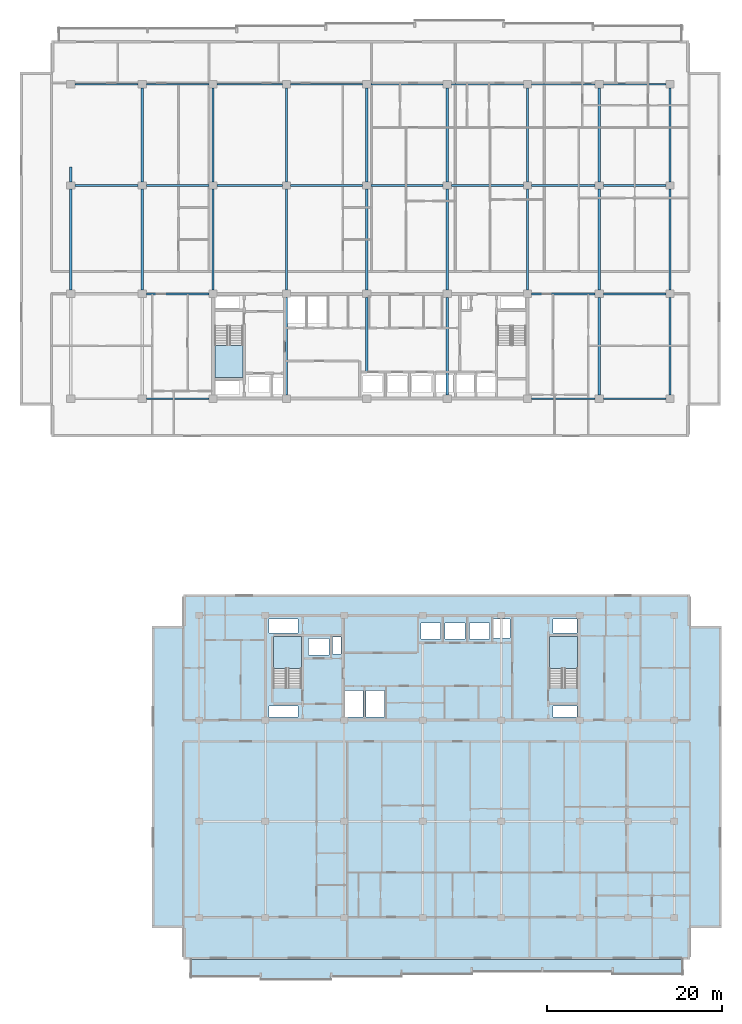
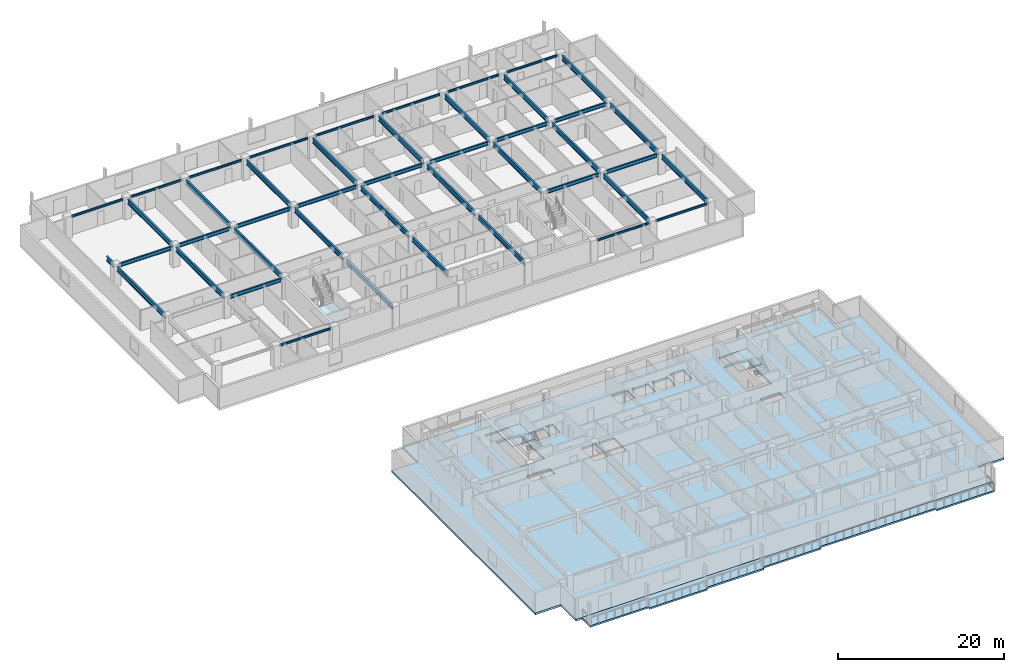
# One storey, part 2 of 21: 45 beams, 5 slabs, 3 elements without a shape of their own.
"""IFC4 building model written with IfcOpenShell, lengths in metres."""

import ifcopenshell
import ifcopenshell.guid

model = None  # the IFC model being written
_history = None  # IfcOwnerHistory: only IFC2X3 demands one
_inside = {}  # id of a spatial element -> (the spatial element, [elements in it])
_under = {}  # id of a project, library or spatial element -> (it, [spatial elements below it])
_declared = {}  # id of a project -> (the project, [libraries it declares])
_typed = {}  # id of a type object -> (the type object, [elements of that type])
_made_of = {}  # id of a material, layer set ... -> (it, [elements and type objects made of it])


def new_model(schema):
    """Start an empty IFC model of exactly this schema.

    Asked for "IFC4X3", IfcOpenShell would pick the latest addendum, in which some entities
    have other attributes; the version numbers below select the first issue.
    IFC2X3 requires an IfcOwnerHistory on every rooted entity: one is made here for all.
    """
    global model, _history
    if schema == "IFC4X3":
        model = ifcopenshell.file(schema_version=(4, 3, 0, 0))
    else:
        model = ifcopenshell.file(schema=schema)
    _inside.clear()
    _under.clear()
    _declared.clear()
    _typed.clear()
    _made_of.clear()
    _history = None
    if model.schema == "IFC2X3":
        org = make("IfcOrganization", Name="unknown")
        user = make(
            "IfcPersonAndOrganization",
            ThePerson=make("IfcPerson", FamilyName="unknown"),
            TheOrganization=org,
        )
        app = make(
            "IfcApplication",
            ApplicationDeveloper=org,
            Version="unknown",
            ApplicationFullName="unknown",
            ApplicationIdentifier="unknown",
        )
        _history = make(
            "IfcOwnerHistory",
            OwningUser=user,
            OwningApplication=app,
            ChangeAction="ADDED",
            CreationDate=0,
        )
    return model


def make(cls, **values):
    """One entity of the class cls with the attributes given. An attribute that is None is left unset."""
    return model.create_entity(
        cls, **{name: value for name, value in values.items() if value is not None}
    )


def rooted(cls, **values):
    """An entity with a GlobalId (a new one), such as an element, a storey or a relation."""
    return make(cls, GlobalId=ifcopenshell.guid.new(), OwnerHistory=_history, **values)


def si_unit(unit_type, name, prefix=None):
    """IfcSIUnit, for example si_unit("LENGTHUNIT", "METRE", prefix="MILLI")."""
    return make("IfcSIUnit", UnitType=unit_type, Prefix=prefix, Name=name)


def assignment(units):
    """IfcUnitAssignment: the units of a project."""
    return None if units is None else make("IfcUnitAssignment", Units=units)


def point(xyz):
    """IfcCartesianPoint."""
    return None if xyz is None else make("IfcCartesianPoint", Coordinates=xyz)


def direction(xyz):
    """IfcDirection."""
    return None if xyz is None else make("IfcDirection", DirectionRatios=xyz)


def frame(location, z_axis=None, x_axis=None):
    """IfcAxis2Placement3D, a coordinate frame: its origin and axes. An axis left out is left unset."""
    return make(
        "IfcAxis2Placement3D",
        Location=point(location),
        Axis=direction(z_axis),
        RefDirection=direction(x_axis),
    )


def frame_2d(location, x_axis=None):
    """IfcAxis2Placement2D, a coordinate frame in the plane: its origin and x axis."""
    return make(
        "IfcAxis2Placement2D", Location=point(location), RefDirection=direction(x_axis)
    )


def origin():
    """The frame at (0, 0, 0) with its axes left unset."""
    return frame((0.0, 0.0, 0.0))


def origin_2d():
    """The frame at (0, 0) in the plane with its x axis left unset."""
    return frame_2d((0.0, 0.0))


def place(relative_to, where):
    """IfcLocalPlacement: puts the frame where relative to a parent placement (None: the world)."""
    return make(
        "IfcLocalPlacement", PlacementRelTo=relative_to, RelativePlacement=where
    )


def context(
    kind, dimensions, precision=None, world=None, true_north=None, identifier=None
):
    """IfcGeometricRepresentationContext, for example the 3D "Model" context."""
    return make(
        "IfcGeometricRepresentationContext",
        ContextIdentifier=identifier,
        ContextType=kind,
        CoordinateSpaceDimension=dimensions,
        Precision=precision,
        WorldCoordinateSystem=world,
        TrueNorth=true_north,
    )


def subcontext(parent, identifier, kind, view, scale=None):
    """IfcGeometricRepresentationSubContext, for example "Body" below "Model"."""
    return make(
        "IfcGeometricRepresentationSubContext",
        ContextIdentifier=identifier,
        ContextType=kind,
        ParentContext=parent,
        TargetScale=scale,
        TargetView=view,
    )


def project(units=None, contexts=None):
    """IfcProject with its units and contexts."""
    return rooted(
        "IfcProject",
        Name="project",
        RepresentationContexts=contexts,
        UnitsInContext=assignment(units),
    )


def spatial(cls, under=None, at=None, **own):
    """A site, building, storey or space (cls), placed at a placement, below another one or the project."""
    s = rooted(cls, ObjectPlacement=at, **own)
    if under is not None:
        _under.setdefault(under.id(), (under, []))[1].append(s)
    return s


def polyline(points):
    """IfcPolyline through the points."""
    return make("IfcPolyline", Points=[point(p) for p in points])


def profile(cls, at=None, kind="AREA", **sizes):
    """A parametric profile (cls). Its sizes go by their IFC names, for example OverallWidth=200.0."""
    return make(cls, ProfileType=kind, Position=at, **sizes)


def i_section(**sizes):
    """IfcIShapeProfileDef."""
    return profile("IfcIShapeProfileDef", **sizes)


def outline(outer, holes=None, kind="AREA"):
    """IfcArbitraryClosedProfileDef: a profile drawn as a closed curve; with holes, ...WithVoids."""
    if holes is None:
        return make("IfcArbitraryClosedProfileDef", ProfileType=kind, OuterCurve=outer)
    return make(
        "IfcArbitraryProfileDefWithVoids",
        ProfileType=kind,
        OuterCurve=outer,
        InnerCurves=holes,
    )


def extrude(swept, where, along, depth):
    """IfcExtrudedAreaSolid: the profile swept, set in the frame where, extruded along a direction by depth."""
    return make(
        "IfcExtrudedAreaSolid",
        SweptArea=swept,
        Position=where,
        ExtrudedDirection=direction(along),
        Depth=depth,
    )


def shape(context_of_items, identifier, shape_type, items):
    """IfcShapeRepresentation: the items that make up one representation, for example the "Body"."""
    return make(
        "IfcShapeRepresentation",
        ContextOfItems=context_of_items,
        RepresentationIdentifier=identifier,
        RepresentationType=shape_type,
        Items=items,
    )


def material(Name=None, Category=None):
    """IfcMaterial."""
    return make("IfcMaterial", Name=Name, Category=Category)


def layer(
    of_material, thickness, ventilated=None, Name=None, Category=None, Priority=None
):
    """IfcMaterialLayer: one layer of a wall or slab, of a material (None: an air gap)."""
    return make(
        "IfcMaterialLayer",
        Material=of_material,
        LayerThickness=thickness,
        IsVentilated=ventilated,
        Name=Name,
        Category=Category,
        Priority=Priority,
    )


def layer_set(layers, Name=None):
    """IfcMaterialLayerSet."""
    return make("IfcMaterialLayerSet", MaterialLayers=layers, LayerSetName=Name)


def material_profile(
    of_material, cross_section, Name=None, Category=None, Priority=None
):
    """IfcMaterialProfile: a cross section and its material."""
    return make(
        "IfcMaterialProfile",
        Name=Name,
        Material=of_material,
        Profile=cross_section,
        Priority=Priority,
        Category=Category,
    )


def profile_set(profiles, Name=None, composite=None):
    """IfcMaterialProfileSet."""
    return make(
        "IfcMaterialProfileSet",
        Name=Name,
        MaterialProfiles=profiles,
        CompositeProfile=composite,
    )


def made_of(thing, what):
    """Note that an element or type object is made of a material, layer set ...; save() writes the relation."""
    if what is not None:
        _made_of.setdefault(what.id(), (what, []))[1].append(thing)
    return thing


def type_object(cls, material=None, **own):
    """A type object (cls), such as IfcWallType, which elements share."""
    return made_of(rooted(cls, **own), material)


def element(
    cls,
    number,
    at=None,
    inside=None,
    cuts=None,
    type_object=None,
    material=None,
    context=None,
    identifier="Body",
    shape_type=None,
    held_by="IfcProductDefinitionShape",
    body=None,
    shapes=None,
    **own,
):
    """One element of the class cls, such as IfcWall. Its Tag is "e" and its number.

    at: its placement. inside: the storey or other place that contains it. cuts: it is an
    opening in that element (IfcRelVoidsElement). A single representation is given by context,
    identifier, shape_type and body (its items); several are given by shapes. held_by: the class
    of the entity that holds the representations. save() writes the other relations.
    """
    e = rooted(cls, Tag="e%d" % number, ObjectPlacement=at, **own)
    if body is not None:
        shapes = [shape(context, identifier, shape_type, body)]
    if shapes is not None:
        e.Representation = make(held_by, Representations=shapes)
    if inside is not None:
        _inside.setdefault(inside.id(), (inside, []))[1].append(e)
    if cuts is not None:
        rooted(
            "IfcRelVoidsElement", RelatingBuildingElement=cuts, RelatedOpeningElement=e
        )
    if type_object is not None:
        _typed.setdefault(type_object.id(), (type_object, []))[1].append(e)
    return made_of(e, material)


def aggregate(whole, parts):
    """IfcRelAggregates: a whole, such as a stair, and the parts it consists of."""
    return rooted("IfcRelAggregates", RelatingObject=whole, RelatedObjects=parts)


def save(model, path):
    """Write the relations noted so far, then the file.

    IfcRelAggregates (storeys below a building ...), IfcRelContainedInSpatialStructure (elements
    in a storey), IfcRelDefinesByType, IfcRelAssociatesMaterial and IfcRelDeclares: one each for
    every whole, place, type object, material and project.
    """
    for whole, parts in _under.values():
        aggregate(whole, parts)
    for where, things in _inside.values():
        rooted(
            "IfcRelContainedInSpatialStructure",
            RelatedElements=things,
            RelatingStructure=where,
        )
    for kind, things in _typed.values():
        rooted("IfcRelDefinesByType", RelatedObjects=things, RelatingType=kind)
    for what, things in _made_of.values():
        rooted("IfcRelAssociatesMaterial", RelatedObjects=things, RelatingMaterial=what)
    for by, libraries in _declared.values():
        rooted("IfcRelDeclares", RelatingContext=by, RelatedDefinitions=libraries)
    model.write(path)


model = new_model("IFC4")

# Units and contexts
model_context = context("Model", 3, precision=1e-05, world=origin(), true_north=direction((0.0, 1.0)))
body_context = subcontext(model_context, "Body", "Model", "MODEL_VIEW")
ifc_project = project(units=[si_unit("LENGTHUNIT", "METRE"), si_unit("AREAUNIT", "SQUARE_METRE"), si_unit("VOLUMEUNIT", "CUBIC_METRE"), si_unit("PLANEANGLEUNIT", "RADIAN"), si_unit("MASSUNIT", "GRAM", prefix="KILO")], contexts=[model_context])

# Site, building, storey
site_placement = place(None, origin())
site = spatial("IfcSite", under=ifc_project, at=site_placement, CompositionType="ELEMENT")
building_placement = place(site_placement, origin())
building = spatial("IfcBuilding", under=site, at=building_placement, Name="Korimba Cascade Residences", CompositionType="ELEMENT")
storey_placement = place(building_placement, frame((0.0, 0.0, 100.300048828125)))
storey = spatial("IfcBuildingStorey", under=building, at=storey_placement, Name="L28", CompositionType="ELEMENT", Elevation=100.300048828125)

# Beams
ifc_material_1 = material(Name="Steel S355", Category="steel")
ifc_material_profile_1 = material_profile(ifc_material_1, i_section(OverallWidth=0.165771484375, OverallDepth=0.306640625, WebThickness=0.006591796875, FlangeThickness=0.01171875, FilletRadius=0.0087890625, at=origin_2d()), Name="Steel S355")
ifc_profile_set_1 = profile_set([ifc_material_profile_1], Name="Steel S355")
beam_type_1 = type_object("IfcBeamType", Name="BM-STL-UB305", PredefinedType="SPANDREL", material=ifc_profile_set_1)
beam_1_placement = place(storey_placement, frame((68.47509765625, 55.199951171875, 2.816650390625), z_axis=(1.0, 0.0, 0.0), x_axis=(0.0, 1.0, 0.0)))
element("IfcBeam", 1, at=beam_1_placement, inside=storey, type_object=beam_type_1, Name="L28 T1 E-W Girder Y1 Bay 2", PredefinedType="SPANDREL", context=body_context, shape_type="SweptSolid", body=[
    extrude(i_section(OverallWidth=0.165771484375, OverallDepth=0.306640625, WebThickness=0.006591796875, FlangeThickness=0.01171875, FilletRadius=0.0087890625, at=origin_2d()), origin(), (0.0, 0.0, 1.0), 7.14990234375),
])
beam_2_placement = place(storey_placement, frame((112.574951171875, 55.199951171875, 2.816650390625), z_axis=(1.0, 0.0, 0.0), x_axis=(0.0, 1.0, 0.0)))
element("IfcBeam", 2, at=beam_2_placement, inside=storey, type_object=beam_type_1, Name="L28 T1 E-W Girder Y1 Bay 7", PredefinedType="SPANDREL", context=body_context, shape_type="SweptSolid", body=[
    extrude(i_section(OverallWidth=0.165771484375, OverallDepth=0.306640625, WebThickness=0.006591796875, FlangeThickness=0.01171875, FilletRadius=0.0087890625, at=origin_2d()), origin(), (0.0, 0.0, 1.0), 7.25),
])
beam_3_placement = place(storey_placement, frame((120.77490234375, 55.199951171875, 2.816650390625), z_axis=(1.0, 0.0, 0.0), x_axis=(0.0, 1.0, 0.0)))
element("IfcBeam", 3, at=beam_3_placement, inside=storey, type_object=beam_type_1, Name="L28 T1 E-W Girder Y1 Bay 8", PredefinedType="SPANDREL", context=body_context, shape_type="SweptSolid", body=[
    extrude(i_section(OverallWidth=0.165771484375, OverallDepth=0.306640625, WebThickness=0.006591796875, FlangeThickness=0.01171875, FilletRadius=0.0087890625, at=origin_2d()), origin(), (0.0, 0.0, 1.0), 7.150146484375),
])
beam_4_placement = place(storey_placement, frame((60.27490234375, 91.199951171875, 2.816650390625), z_axis=(1.0, 0.0, 0.0), x_axis=(0.0, 1.0, 0.0)))
element("IfcBeam", 4, at=beam_4_placement, inside=storey, type_object=beam_type_1, Name="L28 T1 E-W Girder Y4 Bay 1", PredefinedType="SPANDREL", context=body_context, shape_type="SweptSolid", body=[
    extrude(i_section(OverallWidth=0.165771484375, OverallDepth=0.306640625, WebThickness=0.006591796875, FlangeThickness=0.01171875, FilletRadius=0.0087890625, at=origin_2d()), origin(), (0.0, 0.0, 1.0), 7.25),
])
beam_5_placement = place(storey_placement, frame((68.47509765625, 91.199951171875, 2.816650390625), z_axis=(1.0, 0.0, 0.0), x_axis=(0.0, 1.0, 0.0)))
element("IfcBeam", 5, at=beam_5_placement, inside=storey, type_object=beam_type_1, Name="L28 T1 E-W Girder Y4 Bay 2", PredefinedType="SPANDREL", context=body_context, shape_type="SweptSolid", body=[
    extrude(i_section(OverallWidth=0.165771484375, OverallDepth=0.306640625, WebThickness=0.006591796875, FlangeThickness=0.01171875, FilletRadius=0.0087890625, at=origin_2d()), origin(), (0.0, 0.0, 1.0), 7.14990234375),
])
beam_6_placement = place(storey_placement, frame((76.574951171875, 91.199951171875, 2.816650390625), z_axis=(1.0, 0.0, 0.0), x_axis=(0.0, 1.0, 0.0)))
element("IfcBeam", 6, at=beam_6_placement, inside=storey, type_object=beam_type_1, Name="L28 T1 E-W Girder Y4 Bay 3", PredefinedType="SPANDREL", context=body_context, shape_type="SweptSolid", body=[
    extrude(i_section(OverallWidth=0.165771484375, OverallDepth=0.306640625, WebThickness=0.006591796875, FlangeThickness=0.01171875, FilletRadius=0.0087890625, at=origin_2d()), origin(), (0.0, 0.0, 1.0), 7.449951171875),
])
for number, where, z_axis, x_axis, name in (
    (7, (84.97509765625, 91.199951171875, 2.816650390625), (1.0, 0.0, 0.0), (0.0, 1.0, 0.0), "L28 T1 E-W Girder Y4 Bay 4"),
    (8, (94.175048828125, 91.199951171875, 2.816650390625), (1.0, 0.0, 0.0), (0.0, 1.0, 0.0), "L28 T1 E-W Girder Y4 Bay 5"),
    (9, (103.375, 91.199951171875, 2.816650390625), (1.0, 0.0, 0.0), (0.0, 1.0, 0.0), "L28 T1 E-W Girder Y4 Bay 6"),
):
    element("IfcBeam", number, at=place(storey_placement, frame(where, z_axis=z_axis, x_axis=x_axis)), inside=storey, type_object=beam_type_1, Name=name, PredefinedType="SPANDREL", context=body_context, shape_type="SweptSolid", body=[
        extrude(i_section(OverallWidth=0.165771484375, OverallDepth=0.306640625, WebThickness=0.006591796875, FlangeThickness=0.01171875, FilletRadius=0.0087890625, at=origin_2d()), origin(), (0.0, 0.0, 1.0), 8.25),
    ])
beam_7_placement = place(storey_placement, frame((112.574951171875, 91.199951171875, 2.816650390625), z_axis=(1.0, 0.0, 0.0), x_axis=(0.0, 1.0, 0.0)))
element("IfcBeam", 10, at=beam_7_placement, inside=storey, type_object=beam_type_1, Name="L28 T1 E-W Girder Y4 Bay 7", PredefinedType="SPANDREL", context=body_context, shape_type="SweptSolid", body=[
    extrude(i_section(OverallWidth=0.165771484375, OverallDepth=0.306640625, WebThickness=0.006591796875, FlangeThickness=0.01171875, FilletRadius=0.0087890625, at=origin_2d()), origin(), (0.0, 0.0, 1.0), 7.25),
])
beam_8_placement = place(storey_placement, frame((120.77490234375, 91.199951171875, 2.816650390625), z_axis=(1.0, 0.0, 0.0), x_axis=(0.0, 1.0, 0.0)))
element("IfcBeam", 11, at=beam_8_placement, inside=storey, type_object=beam_type_1, Name="L28 T1 E-W Girder Y4 Bay 8", PredefinedType="SPANDREL", context=body_context, shape_type="SweptSolid", body=[
    extrude(i_section(OverallWidth=0.165771484375, OverallDepth=0.306640625, WebThickness=0.006591796875, FlangeThickness=0.01171875, FilletRadius=0.0087890625, at=origin_2d()), origin(), (0.0, 0.0, 1.0), 7.150146484375),
])
ifc_material_profile_2 = material_profile(ifc_material_1, i_section(OverallWidth=0.2099609375, OverallDepth=0.53662109375, WebThickness=0.0107421875, FlangeThickness=0.017333984375, FilletRadius=0.0126953125, at=origin_2d()), Name="Steel S355")
ifc_profile_set_2 = profile_set([ifc_material_profile_2], Name="Steel S355")
beam_type_2 = type_object("IfcBeamType", Name="BM-STL-UB533", PredefinedType="BEAM", material=ifc_profile_set_2)
beam_9_placement = place(storey_placement, frame((68.47509765625, 67.199951171875, 2.70166015625), z_axis=(1.0, 0.0, 0.0), x_axis=(0.0, 1.0, 0.0)))
element("IfcBeam", 12, at=beam_9_placement, inside=storey, type_object=beam_type_2, Name="L28 T1 E-W Girder Y2 Bay 2", PredefinedType="BEAM", context=body_context, shape_type="SweptSolid", body=[
    extrude(i_section(OverallWidth=0.2099609375, OverallDepth=0.53662109375, WebThickness=0.0107421875, FlangeThickness=0.017333984375, FilletRadius=0.0126953125, at=origin_2d()), origin(), (0.0, 0.0, 1.0), 7.14990234375),
])
beam_10_placement = place(storey_placement, frame((112.574951171875, 67.199951171875, 2.70166015625), z_axis=(1.0, 0.0, 0.0), x_axis=(0.0, 1.0, 0.0)))
element("IfcBeam", 13, at=beam_10_placement, inside=storey, type_object=beam_type_2, Name="L28 T1 E-W Girder Y2 Bay 7", PredefinedType="BEAM", context=body_context, shape_type="SweptSolid", body=[
    extrude(i_section(OverallWidth=0.2099609375, OverallDepth=0.53662109375, WebThickness=0.0107421875, FlangeThickness=0.017333984375, FilletRadius=0.0126953125, at=origin_2d()), origin(), (0.0, 0.0, 1.0), 7.25),
])
beam_11_placement = place(storey_placement, frame((120.77490234375, 67.199951171875, 2.70166015625), z_axis=(1.0, 0.0, 0.0), x_axis=(0.0, 1.0, 0.0)))
element("IfcBeam", 14, at=beam_11_placement, inside=storey, type_object=beam_type_2, Name="L28 T1 E-W Girder Y2 Bay 8", PredefinedType="BEAM", context=body_context, shape_type="SweptSolid", body=[
    extrude(i_section(OverallWidth=0.2099609375, OverallDepth=0.53662109375, WebThickness=0.0107421875, FlangeThickness=0.017333984375, FilletRadius=0.0126953125, at=origin_2d()), origin(), (0.0, 0.0, 1.0), 7.150146484375),
])
beam_12_placement = place(storey_placement, frame((60.27490234375, 79.60009765625, 2.70166015625), z_axis=(1.0, 0.0, 0.0), x_axis=(0.0, 1.0, 0.0)))
element("IfcBeam", 15, at=beam_12_placement, inside=storey, type_object=beam_type_2, Name="L28 T1 E-W Girder Y3 Bay 1", PredefinedType="BEAM", context=body_context, shape_type="SweptSolid", body=[
    extrude(i_section(OverallWidth=0.2099609375, OverallDepth=0.53662109375, WebThickness=0.0107421875, FlangeThickness=0.017333984375, FilletRadius=0.0126953125, at=origin_2d()), origin(), (0.0, 0.0, 1.0), 7.25),
])
beam_13_placement = place(storey_placement, frame((68.47509765625, 79.60009765625, 2.70166015625), z_axis=(1.0, 0.0, 0.0), x_axis=(0.0, 1.0, 0.0)))
element("IfcBeam", 16, at=beam_13_placement, inside=storey, type_object=beam_type_2, Name="L28 T1 E-W Girder Y3 Bay 2", PredefinedType="BEAM", context=body_context, shape_type="SweptSolid", body=[
    extrude(i_section(OverallWidth=0.2099609375, OverallDepth=0.53662109375, WebThickness=0.0107421875, FlangeThickness=0.017333984375, FilletRadius=0.0126953125, at=origin_2d()), origin(), (0.0, 0.0, 1.0), 7.14990234375),
])
beam_14_placement = place(storey_placement, frame((76.574951171875, 79.60009765625, 2.70166015625), z_axis=(1.0, 0.0, 0.0), x_axis=(0.0, 1.0, 0.0)))
element("IfcBeam", 17, at=beam_14_placement, inside=storey, type_object=beam_type_2, Name="L28 T1 E-W Girder Y3 Bay 3", PredefinedType="BEAM", context=body_context, shape_type="SweptSolid", body=[
    extrude(i_section(OverallWidth=0.2099609375, OverallDepth=0.53662109375, WebThickness=0.0107421875, FlangeThickness=0.017333984375, FilletRadius=0.0126953125, at=origin_2d()), origin(), (0.0, 0.0, 1.0), 7.449951171875),
])
for number, where, z_axis, x_axis, name in (
    (18, (84.97509765625, 79.60009765625, 2.70166015625), (1.0, 0.0, 0.0), (0.0, 1.0, 0.0), "L28 T1 E-W Girder Y3 Bay 4"),
    (19, (94.175048828125, 79.60009765625, 2.70166015625), (1.0, 0.0, 0.0), (0.0, 1.0, 0.0), "L28 T1 E-W Girder Y3 Bay 5"),
    (20, (103.375, 79.60009765625, 2.70166015625), (1.0, 0.0, 0.0), (0.0, 1.0, 0.0), "L28 T1 E-W Girder Y3 Bay 6"),
):
    element("IfcBeam", number, at=place(storey_placement, frame(where, z_axis=z_axis, x_axis=x_axis)), inside=storey, type_object=beam_type_2, Name=name, PredefinedType="BEAM", context=body_context, shape_type="SweptSolid", body=[
        extrude(i_section(OverallWidth=0.2099609375, OverallDepth=0.53662109375, WebThickness=0.0107421875, FlangeThickness=0.017333984375, FilletRadius=0.0126953125, at=origin_2d()), origin(), (0.0, 0.0, 1.0), 8.25),
    ])
beam_15_placement = place(storey_placement, frame((112.574951171875, 79.60009765625, 2.70166015625), z_axis=(1.0, 0.0, 0.0), x_axis=(0.0, 1.0, 0.0)))
element("IfcBeam", 21, at=beam_15_placement, inside=storey, type_object=beam_type_2, Name="L28 T1 E-W Girder Y3 Bay 7", PredefinedType="BEAM", context=body_context, shape_type="SweptSolid", body=[
    extrude(i_section(OverallWidth=0.2099609375, OverallDepth=0.53662109375, WebThickness=0.0107421875, FlangeThickness=0.017333984375, FilletRadius=0.0126953125, at=origin_2d()), origin(), (0.0, 0.0, 1.0), 7.25),
])
beam_16_placement = place(storey_placement, frame((120.77490234375, 79.60009765625, 2.70166015625), z_axis=(1.0, 0.0, 0.0), x_axis=(0.0, 1.0, 0.0)))
element("IfcBeam", 22, at=beam_16_placement, inside=storey, type_object=beam_type_2, Name="L28 T1 E-W Girder Y3 Bay 8", PredefinedType="BEAM", context=body_context, shape_type="SweptSolid", body=[
    extrude(i_section(OverallWidth=0.2099609375, OverallDepth=0.53662109375, WebThickness=0.0107421875, FlangeThickness=0.017333984375, FilletRadius=0.0126953125, at=origin_2d()), origin(), (0.0, 0.0, 1.0), 7.150146484375),
])
ifc_material_profile_3 = material_profile(ifc_material_1, i_section(OverallWidth=0.255859375, OverallDepth=0.69287109375, WebThickness=0.014404296875, FlangeThickness=0.023681640625, FilletRadius=0.01513671875, at=origin_2d()), Name="Steel S355")
ifc_profile_set_3 = profile_set([ifc_material_profile_3], Name="Steel S355")
beam_type_3 = type_object("IfcBeamType", Name="BM-STL-UB686", PredefinedType="BEAM", material=ifc_profile_set_3)
beam_17_placement = place(storey_placement, frame((59.800048828125, 67.625, 2.62353515625), z_axis=(0.0, 1.0, 0.0), x_axis=(-1.0, 0.0, 0.0)))
element("IfcBeam", 23, at=beam_17_placement, inside=storey, type_object=beam_type_3, Name="L28 T1 N-S Girder X1 Seg 2", PredefinedType="BEAM", context=body_context, shape_type="SweptSolid", body=[
    extrude(i_section(OverallWidth=0.255859375, OverallDepth=0.69287109375, WebThickness=0.014404296875, FlangeThickness=0.023681640625, FilletRadius=0.01513671875, at=origin_2d()), origin(), (0.0, 0.0, 1.0), 11.550048828125),
])
beam_18_placement = place(storey_placement, frame((59.800048828125, 80.02490234375, 2.62353515625), z_axis=(0.0, 1.0, 0.0), x_axis=(-1.0, 0.0, 0.0)))
element("IfcBeam", 24, at=beam_18_placement, inside=storey, type_object=beam_type_3, Name="L28 T1 N-S Girder X1 Seg 3", PredefinedType="BEAM", context=body_context, shape_type="SweptSolid", body=[
    extrude(i_section(OverallWidth=0.255859375, OverallDepth=0.69287109375, WebThickness=0.014404296875, FlangeThickness=0.023681640625, FilletRadius=0.01513671875, at=origin_2d()), origin(), (0.0, 0.0, 1.0), 1.675048828125),
])
beam_19_placement = place(storey_placement, frame((68.0, 67.625, 2.62353515625), z_axis=(0.0, 1.0, 0.0), x_axis=(-1.0, 0.0, 0.0)))
element("IfcBeam", 25, at=beam_19_placement, inside=storey, type_object=beam_type_3, Name="L28 T1 N-S Girder X2 Seg 2", PredefinedType="BEAM", context=body_context, shape_type="SweptSolid", body=[
    extrude(i_section(OverallWidth=0.255859375, OverallDepth=0.69287109375, WebThickness=0.014404296875, FlangeThickness=0.023681640625, FilletRadius=0.01513671875, at=origin_2d()), origin(), (0.0, 0.0, 1.0), 11.550048828125),
])
beam_20_placement = place(storey_placement, frame((68.0, 80.02490234375, 2.62353515625), z_axis=(0.0, 1.0, 0.0), x_axis=(-1.0, 0.0, 0.0)))
element("IfcBeam", 26, at=beam_20_placement, inside=storey, type_object=beam_type_3, Name="L28 T1 N-S Girder X2 Seg 3", PredefinedType="BEAM", context=body_context, shape_type="SweptSolid", body=[
    extrude(i_section(OverallWidth=0.255859375, OverallDepth=0.69287109375, WebThickness=0.014404296875, FlangeThickness=0.023681640625, FilletRadius=0.01513671875, at=origin_2d()), origin(), (0.0, 0.0, 1.0), 10.75),
])
beam_21_placement = place(storey_placement, frame((76.10009765625, 67.625, 2.62353515625), z_axis=(0.0, 1.0, 0.0), x_axis=(-1.0, 0.0, 0.0)))
element("IfcBeam", 27, at=beam_21_placement, inside=storey, type_object=beam_type_3, Name="L28 T1 N-S Girder X3 Seg 2", PredefinedType="BEAM", context=body_context, shape_type="SweptSolid", body=[
    extrude(i_section(OverallWidth=0.255859375, OverallDepth=0.69287109375, WebThickness=0.014404296875, FlangeThickness=0.023681640625, FilletRadius=0.01513671875, at=origin_2d()), origin(), (0.0, 0.0, 1.0), 11.550048828125),
])
beam_22_placement = place(storey_placement, frame((76.10009765625, 80.02490234375, 2.62353515625), z_axis=(0.0, 1.0, 0.0), x_axis=(-1.0, 0.0, 0.0)))
element("IfcBeam", 28, at=beam_22_placement, inside=storey, type_object=beam_type_3, Name="L28 T1 N-S Girder X3 Seg 3", PredefinedType="BEAM", context=body_context, shape_type="SweptSolid", body=[
    extrude(i_section(OverallWidth=0.255859375, OverallDepth=0.69287109375, WebThickness=0.014404296875, FlangeThickness=0.023681640625, FilletRadius=0.01513671875, at=origin_2d()), origin(), (0.0, 0.0, 1.0), 10.75),
])
beam_23_placement = place(storey_placement, frame((84.5, 55.625, 2.62353515625), z_axis=(0.0, 1.0, 0.0), x_axis=(-1.0, 0.0, 0.0)))
element("IfcBeam", 29, at=beam_23_placement, inside=storey, type_object=beam_type_3, Name="L28 T1 N-S Girder X4 Seg 1", PredefinedType="BEAM", context=body_context, shape_type="SweptSolid", body=[
    extrude(i_section(OverallWidth=0.255859375, OverallDepth=0.69287109375, WebThickness=0.014404296875, FlangeThickness=0.023681640625, FilletRadius=0.01513671875, at=origin_2d()), origin(), (0.0, 0.0, 1.0), 11.14990234375),
])
beam_24_placement = place(storey_placement, frame((84.5, 67.625, 2.62353515625), z_axis=(0.0, 1.0, 0.0), x_axis=(-1.0, 0.0, 0.0)))
element("IfcBeam", 30, at=beam_24_placement, inside=storey, type_object=beam_type_3, Name="L28 T1 N-S Girder X4 Seg 2", PredefinedType="BEAM", context=body_context, shape_type="SweptSolid", body=[
    extrude(i_section(OverallWidth=0.255859375, OverallDepth=0.69287109375, WebThickness=0.014404296875, FlangeThickness=0.023681640625, FilletRadius=0.01513671875, at=origin_2d()), origin(), (0.0, 0.0, 1.0), 11.550048828125),
])
beam_25_placement = place(storey_placement, frame((84.5, 80.02490234375, 2.62353515625), z_axis=(0.0, 1.0, 0.0), x_axis=(-1.0, 0.0, 0.0)))
element("IfcBeam", 31, at=beam_25_placement, inside=storey, type_object=beam_type_3, Name="L28 T1 N-S Girder X4 Seg 3", PredefinedType="BEAM", context=body_context, shape_type="SweptSolid", body=[
    extrude(i_section(OverallWidth=0.255859375, OverallDepth=0.69287109375, WebThickness=0.014404296875, FlangeThickness=0.023681640625, FilletRadius=0.01513671875, at=origin_2d()), origin(), (0.0, 0.0, 1.0), 10.75),
])
beam_26_placement = place(storey_placement, frame((93.699951171875, 58.159912109375, 2.62353515625), z_axis=(0.0, 1.0, 0.0), x_axis=(-1.0, 0.0, 0.0)))
element("IfcBeam", 32, at=beam_26_placement, inside=storey, type_object=beam_type_3, Name="L28 T1 N-S Girder X5 Seg 1", PredefinedType="BEAM", context=body_context, shape_type="SweptSolid", body=[
    extrude(i_section(OverallWidth=0.255859375, OverallDepth=0.69287109375, WebThickness=0.014404296875, FlangeThickness=0.023681640625, FilletRadius=0.01513671875, at=origin_2d()), origin(), (0.0, 0.0, 1.0), 8.614990234375),
])
beam_27_placement = place(storey_placement, frame((93.699951171875, 67.625, 2.62353515625), z_axis=(0.0, 1.0, 0.0), x_axis=(-1.0, 0.0, 0.0)))
element("IfcBeam", 33, at=beam_27_placement, inside=storey, type_object=beam_type_3, Name="L28 T1 N-S Girder X5 Seg 2", PredefinedType="BEAM", context=body_context, shape_type="SweptSolid", body=[
    extrude(i_section(OverallWidth=0.255859375, OverallDepth=0.69287109375, WebThickness=0.014404296875, FlangeThickness=0.023681640625, FilletRadius=0.01513671875, at=origin_2d()), origin(), (0.0, 0.0, 1.0), 11.550048828125),
])
beam_28_placement = place(storey_placement, frame((93.699951171875, 80.02490234375, 2.62353515625), z_axis=(0.0, 1.0, 0.0), x_axis=(-1.0, 0.0, 0.0)))
element("IfcBeam", 34, at=beam_28_placement, inside=storey, type_object=beam_type_3, Name="L28 T1 N-S Girder X5 Seg 3", PredefinedType="BEAM", context=body_context, shape_type="SweptSolid", body=[
    extrude(i_section(OverallWidth=0.255859375, OverallDepth=0.69287109375, WebThickness=0.014404296875, FlangeThickness=0.023681640625, FilletRadius=0.01513671875, at=origin_2d()), origin(), (0.0, 0.0, 1.0), 10.75),
])
beam_29_placement = place(storey_placement, frame((102.89990234375, 55.625, 2.62353515625), z_axis=(0.0, 1.0, 0.0), x_axis=(-1.0, 0.0, 0.0)))
element("IfcBeam", 35, at=beam_29_placement, inside=storey, type_object=beam_type_3, Name="L28 T1 N-S Girder X6 Seg 1", PredefinedType="BEAM", context=body_context, shape_type="SweptSolid", body=[
    extrude(i_section(OverallWidth=0.255859375, OverallDepth=0.69287109375, WebThickness=0.014404296875, FlangeThickness=0.023681640625, FilletRadius=0.01513671875, at=origin_2d()), origin(), (0.0, 0.0, 1.0), 11.14990234375),
])
beam_30_placement = place(storey_placement, frame((102.89990234375, 67.625, 2.62353515625), z_axis=(0.0, 1.0, 0.0), x_axis=(-1.0, 0.0, 0.0)))
element("IfcBeam", 36, at=beam_30_placement, inside=storey, type_object=beam_type_3, Name="L28 T1 N-S Girder X6 Seg 2", PredefinedType="BEAM", context=body_context, shape_type="SweptSolid", body=[
    extrude(i_section(OverallWidth=0.255859375, OverallDepth=0.69287109375, WebThickness=0.014404296875, FlangeThickness=0.023681640625, FilletRadius=0.01513671875, at=origin_2d()), origin(), (0.0, 0.0, 1.0), 11.550048828125),
])
beam_31_placement = place(storey_placement, frame((102.89990234375, 80.02490234375, 2.62353515625), z_axis=(0.0, 1.0, 0.0), x_axis=(-1.0, 0.0, 0.0)))
element("IfcBeam", 37, at=beam_31_placement, inside=storey, type_object=beam_type_3, Name="L28 T1 N-S Girder X6 Seg 3", PredefinedType="BEAM", context=body_context, shape_type="SweptSolid", body=[
    extrude(i_section(OverallWidth=0.255859375, OverallDepth=0.69287109375, WebThickness=0.014404296875, FlangeThickness=0.023681640625, FilletRadius=0.01513671875, at=origin_2d()), origin(), (0.0, 0.0, 1.0), 10.75),
])
beam_32_placement = place(storey_placement, frame((112.10009765625, 67.625, 2.62353515625), z_axis=(0.0, 1.0, 0.0), x_axis=(-1.0, 0.0, 0.0)))
element("IfcBeam", 38, at=beam_32_placement, inside=storey, type_object=beam_type_3, Name="L28 T1 N-S Girder X7 Seg 2", PredefinedType="BEAM", context=body_context, shape_type="SweptSolid", body=[
    extrude(i_section(OverallWidth=0.255859375, OverallDepth=0.69287109375, WebThickness=0.014404296875, FlangeThickness=0.023681640625, FilletRadius=0.01513671875, at=origin_2d()), origin(), (0.0, 0.0, 1.0), 11.550048828125),
])
beam_33_placement = place(storey_placement, frame((112.10009765625, 80.02490234375, 2.62353515625), z_axis=(0.0, 1.0, 0.0), x_axis=(-1.0, 0.0, 0.0)))
element("IfcBeam", 39, at=beam_33_placement, inside=storey, type_object=beam_type_3, Name="L28 T1 N-S Girder X7 Seg 3", PredefinedType="BEAM", context=body_context, shape_type="SweptSolid", body=[
    extrude(i_section(OverallWidth=0.255859375, OverallDepth=0.69287109375, WebThickness=0.014404296875, FlangeThickness=0.023681640625, FilletRadius=0.01513671875, at=origin_2d()), origin(), (0.0, 0.0, 1.0), 10.75),
])
beam_34_placement = place(storey_placement, frame((120.300048828125, 55.625, 2.62353515625), z_axis=(0.0, 1.0, 0.0), x_axis=(-1.0, 0.0, 0.0)))
element("IfcBeam", 40, at=beam_34_placement, inside=storey, type_object=beam_type_3, Name="L28 T1 N-S Girder X8 Seg 1", PredefinedType="BEAM", context=body_context, shape_type="SweptSolid", body=[
    extrude(i_section(OverallWidth=0.255859375, OverallDepth=0.69287109375, WebThickness=0.014404296875, FlangeThickness=0.023681640625, FilletRadius=0.01513671875, at=origin_2d()), origin(), (0.0, 0.0, 1.0), 11.14990234375),
])
beam_35_placement = place(storey_placement, frame((120.300048828125, 67.625, 2.62353515625), z_axis=(0.0, 1.0, 0.0), x_axis=(-1.0, 0.0, 0.0)))
element("IfcBeam", 41, at=beam_35_placement, inside=storey, type_object=beam_type_3, Name="L28 T1 N-S Girder X8 Seg 2", PredefinedType="BEAM", context=body_context, shape_type="SweptSolid", body=[
    extrude(i_section(OverallWidth=0.255859375, OverallDepth=0.69287109375, WebThickness=0.014404296875, FlangeThickness=0.023681640625, FilletRadius=0.01513671875, at=origin_2d()), origin(), (0.0, 0.0, 1.0), 11.550048828125),
])
beam_36_placement = place(storey_placement, frame((120.300048828125, 80.02490234375, 2.62353515625), z_axis=(0.0, 1.0, 0.0), x_axis=(-1.0, 0.0, 0.0)))
element("IfcBeam", 42, at=beam_36_placement, inside=storey, type_object=beam_type_3, Name="L28 T1 N-S Girder X8 Seg 3", PredefinedType="BEAM", context=body_context, shape_type="SweptSolid", body=[
    extrude(i_section(OverallWidth=0.255859375, OverallDepth=0.69287109375, WebThickness=0.014404296875, FlangeThickness=0.023681640625, FilletRadius=0.01513671875, at=origin_2d()), origin(), (0.0, 0.0, 1.0), 10.75),
])
beam_37_placement = place(storey_placement, frame((128.39990234375, 55.625, 2.62353515625), z_axis=(0.0, 1.0, 0.0), x_axis=(-1.0, 0.0, 0.0)))
element("IfcBeam", 43, at=beam_37_placement, inside=storey, type_object=beam_type_3, Name="L28 T1 N-S Girder X9 Seg 1", PredefinedType="BEAM", context=body_context, shape_type="SweptSolid", body=[
    extrude(i_section(OverallWidth=0.255859375, OverallDepth=0.69287109375, WebThickness=0.014404296875, FlangeThickness=0.023681640625, FilletRadius=0.01513671875, at=origin_2d()), origin(), (0.0, 0.0, 1.0), 11.14990234375),
])
beam_38_placement = place(storey_placement, frame((128.39990234375, 67.625, 2.62353515625), z_axis=(0.0, 1.0, 0.0), x_axis=(-1.0, 0.0, 0.0)))
element("IfcBeam", 44, at=beam_38_placement, inside=storey, type_object=beam_type_3, Name="L28 T1 N-S Girder X9 Seg 2", PredefinedType="BEAM", context=body_context, shape_type="SweptSolid", body=[
    extrude(i_section(OverallWidth=0.255859375, OverallDepth=0.69287109375, WebThickness=0.014404296875, FlangeThickness=0.023681640625, FilletRadius=0.01513671875, at=origin_2d()), origin(), (0.0, 0.0, 1.0), 11.550048828125),
])
beam_39_placement = place(storey_placement, frame((128.39990234375, 80.02490234375, 2.62353515625), z_axis=(0.0, 1.0, 0.0), x_axis=(-1.0, 0.0, 0.0)))
element("IfcBeam", 45, at=beam_39_placement, inside=storey, type_object=beam_type_3, Name="L28 T1 N-S Girder X9 Seg 3", PredefinedType="BEAM", context=body_context, shape_type="SweptSolid", body=[
    extrude(i_section(OverallWidth=0.255859375, OverallDepth=0.69287109375, WebThickness=0.014404296875, FlangeThickness=0.023681640625, FilletRadius=0.01513671875, at=origin_2d()), origin(), (0.0, 0.0, 1.0), 10.75),
])

# Stair, slab
ifc_material_2 = material(Name="Concrete C50/60", Category="concrete")
stair_type_1 = type_object("IfcStairType", Name="STR-W1-18R-1806", PredefinedType="HALF_TURN_STAIR", material=ifc_material_2)
stair_1_placement = place(storey_placement, origin())
stair_1 = element("IfcStair", 46, at=stair_1_placement, inside=storey, type_object=stair_type_1, Name="L28 Tower 1 West Fire Stair ST-W1", PredefinedType="HALF_TURN_STAIR")
ifc_layer_1 = layer(ifc_material_2, 0.199951171875)
ifc_layer_set_1 = layer_set([ifc_layer_1], Name="Concrete C50/60")
slab_type_1 = type_object("IfcSlabType", Name="SLB-LND-220", PredefinedType="LANDING", material=ifc_layer_set_1)
slab_1_placement = place(storey_placement, frame((0.0, 0.0, 1.425048828125)))
slab_1 = element("IfcSlab", 47, at=slab_1_placement, type_object=slab_type_1, Name="ST-W1 landing 1", PredefinedType="LANDING", context=body_context, shape_type="SweptSolid", body=[
    extrude(outline(polyline([(76.300048828125, 61.31005859375), (76.300048828125, 57.60009765625), (79.5400390625, 57.60009765625), (79.5400390625, 61.31005859375), (76.300048828125, 61.31005859375)])), origin(), (0.0, 0.0, 1.0), 0.199951171875),
])
aggregate(stair_1, [slab_1])

stair_type_2 = type_object("IfcStairType", Name="STR-E1-18R-1806", PredefinedType="HALF_TURN_STAIR", material=ifc_material_2)
stair_2_placement = place(storey_placement, origin())
stair_2 = element("IfcStair", 48, at=stair_2_placement, inside=storey, type_object=stair_type_2, Name="L28 Tower 2 West Fire Stair ST-E1", PredefinedType="HALF_TURN_STAIR")
slab_2_placement = place(storey_placement, frame((0.0, 0.0, 1.425048828125)))
slab_2 = element("IfcSlab", 49, at=slab_2_placement, type_object=slab_type_1, Name="ST-E1 landing 1", PredefinedType="LANDING", context=body_context, shape_type="SweptSolid", body=[
    extrude(outline(polyline([(86.239990234375, 24.2900390625), (86.239990234375, 28.0), (83.0, 28.0), (83.0, 24.2900390625), (86.239990234375, 24.2900390625)])), origin(), (0.0, 0.0, 1.0), 0.199951171875),
])
aggregate(stair_2, [slab_2])

stair_type_3 = type_object("IfcStairType", Name="STR-E2-18R-1806", PredefinedType="HALF_TURN_STAIR", material=ifc_material_2)
stair_3_placement = place(storey_placement, origin())
stair_3 = element("IfcStair", 50, at=stair_3_placement, inside=storey, type_object=stair_type_3, Name="L28 Tower 2 East Fire Stair ST-E2", PredefinedType="HALF_TURN_STAIR")
slab_3_placement = place(storey_placement, frame((0.0, 0.0, 1.425048828125)))
slab_3 = element("IfcSlab", 51, at=slab_3_placement, type_object=slab_type_1, Name="ST-E2 landing 1", PredefinedType="LANDING", context=body_context, shape_type="SweptSolid", body=[
    extrude(outline(polyline([(117.840087890625, 24.2900390625), (117.840087890625, 28.0), (114.60009765625, 28.0), (114.60009765625, 24.2900390625), (117.840087890625, 24.2900390625)])), origin(), (0.0, 0.0, 1.0), 0.199951171875),
])
aggregate(stair_3, [slab_3])

# Slabs
ifc_material_3 = material(Name="Precast concrete C40/50", Category="concrete")
ifc_layer_2 = layer(ifc_material_3, 0.239990234375)
ifc_layer_set_2 = layer_set([ifc_layer_2], Name="Precast concrete C40/50")
slab_type_2 = type_object("IfcSlabType", Name="SLB-LOG-240", PredefinedType="FLOOR", material=ifc_layer_set_2)
slab_4_placement = place(storey_placement, frame((0.0, 0.0, -0.239990234375)))
element("IfcSlab", 52, at=slab_4_placement, inside=storey, type_object=slab_type_2, Name="L28 Tower 2 South Loggia Slab", PredefinedType="FLOOR", context=body_context, shape_type="SweptSolid", body=[
    extrude(outline(polyline([(73.5, -11.050048828125), (81.55712890625, -11.050048828125), (81.55712890625, -11.35009765625), (89.6142578125, -11.35009765625), (89.6142578125, -11.050048828125), (97.67138671875, -11.050048828125), (97.67138671875, -10.75), (105.728515625, -10.75), (105.728515625, -10.449951171875), (121.843017578125, -10.449951171875), (121.843017578125, -10.75), (129.89990234375, -10.75), (129.89990234375, -9.0), (73.5, -9.0), (73.5, -11.050048828125)])), origin(), (0.0, 0.0, 1.0), 0.239990234375),
])
ifc_layer_3 = layer(ifc_material_2, 0.280029296875)
ifc_layer_set_3 = layer_set([ifc_layer_3], Name="Concrete C50/60")
slab_type_3 = type_object("IfcSlabType", Name="SLB-TYP-280", PredefinedType="FLOOR", material=ifc_layer_set_3)
slab_5_placement = place(storey_placement, frame((0.0, 0.0, -0.280029296875)))
element("IfcSlab", 53, at=slab_5_placement, inside=storey, type_object=slab_type_3, Name="L28 Tower 2 Floor Slab", PredefinedType="FLOOR", context=body_context, shape_type="SweptSolid", body=[
    extrude(outline(polyline([(72.699951171875, -9.0), (130.699951171875, -9.0), (130.699951171875, -5.39990234375), (134.300048828125, -5.39990234375), (134.300048828125, 29.199951171875), (130.699951171875, 29.199951171875), (130.699951171875, 32.800048828125), (72.699951171875, 32.800048828125), (72.699951171875, 29.199951171875), (69.10009765625, 29.199951171875), (69.10009765625, -5.39990234375), (72.699951171875, -5.39990234375), (72.699951171875, -9.0)]), holes=[polyline([(86.239990234375, 22.0849609375), (86.239990234375, 28.0), (83.0, 28.0), (83.0, 22.0849609375), (86.239990234375, 22.0849609375)]), polyline([(117.840087890625, 22.0849609375), (117.840087890625, 28.0), (114.60009765625, 28.0), (114.60009765625, 22.0849609375), (117.840087890625, 22.0849609375)]), polyline([(87.030029296875, 25.8798828125), (89.3701171875, 25.8798828125), (89.3701171875, 27.719970703125), (87.030029296875, 27.719970703125), (87.030029296875, 25.8798828125)]), polyline([(99.8798828125, 27.679931640625), (102.1201171875, 27.679931640625), (102.1201171875, 29.52001953125), (99.8798828125, 29.52001953125), (99.8798828125, 27.679931640625)]), polyline([(102.679931640625, 27.679931640625), (104.919921875, 27.679931640625), (104.919921875, 29.52001953125), (102.679931640625, 29.52001953125), (102.679931640625, 27.679931640625)]), polyline([(105.47998046875, 27.679931640625), (107.719970703125, 27.679931640625), (107.719970703125, 29.52001953125), (105.47998046875, 29.52001953125), (105.47998046875, 27.679931640625)]), polyline([(89.780029296875, 25.97998046875), (90.719970703125, 25.97998046875), (90.719970703125, 27.919921875), (89.780029296875, 27.919921875), (89.780029296875, 25.97998046875)]), polyline([(82.530029296875, 18.72998046875), (85.800048828125, 18.72998046875), (85.800048828125, 20.0400390625), (82.530029296875, 20.0400390625), (82.530029296875, 18.72998046875)]), polyline([(82.530029296875, 28.360107421875), (85.800048828125, 28.360107421875), (85.800048828125, 29.969970703125), (82.530029296875, 29.969970703125), (82.530029296875, 28.360107421875)]), polyline([(108.22998046875, 27.780029296875), (110.1201171875, 27.780029296875), (110.1201171875, 29.969970703125), (108.22998046875, 29.969970703125), (108.22998046875, 27.780029296875)]), polyline([(91.22998046875, 18.72998046875), (93.27001953125, 18.72998046875), (93.27001953125, 21.780029296875), (91.22998046875, 21.780029296875), (91.22998046875, 18.72998046875)]), polyline([(93.6298828125, 18.72998046875), (95.719970703125, 18.72998046875), (95.719970703125, 21.780029296875), (93.6298828125, 21.780029296875), (93.6298828125, 18.72998046875)]), polyline([(115.02001953125, 18.72998046875), (117.739990234375, 18.72998046875), (117.739990234375, 20.0400390625), (115.02001953125, 20.0400390625), (115.02001953125, 18.72998046875)]), polyline([(115.02001953125, 28.360107421875), (117.739990234375, 28.360107421875), (117.739990234375, 29.969970703125), (115.02001953125, 29.969970703125), (115.02001953125, 28.360107421875)])]), origin(), (0.0, 0.0, 1.0), 0.280029296875),
])

save(model, "model.ifc")
